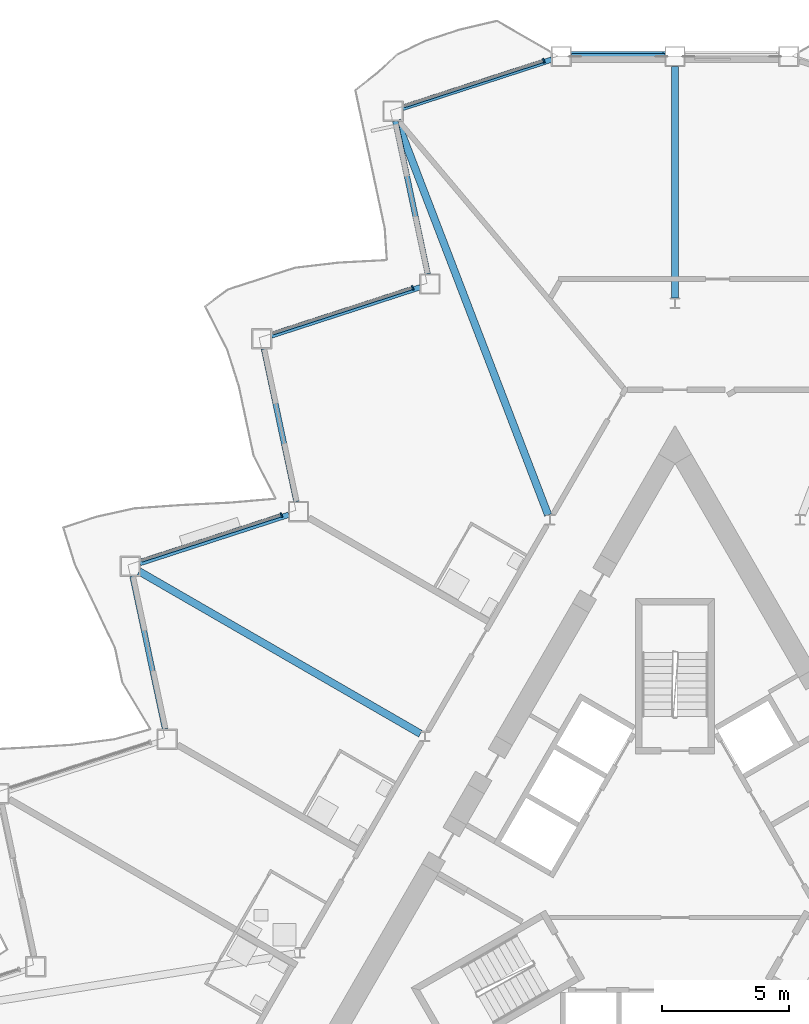
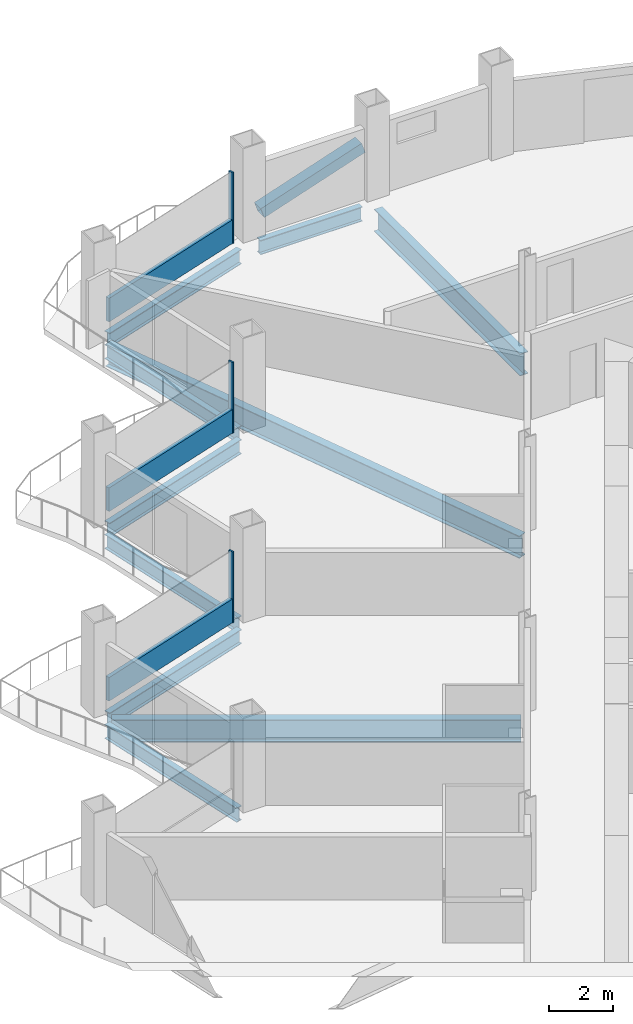
# One storey, part 8 of 23: 10 beams, 7 members, 3 elements without a shape of their own.
"""IFC4 building model written with IfcOpenShell, lengths in metres."""

from ifc_helpers import new_model, si_unit, direction, frame, origin, origin_2d, place, context, subcontext, project, spatial, rectangle, hollow_rectangle, i_section, extrude, material, layer, layer_set, material_profile, profile_set, type_object, element, aggregate, save


model = new_model("IFC4")

# Units and contexts
model_context = context("Model", 3, precision=1e-05, world=origin(), true_north=direction((0.0, 1.0)))
body_context = subcontext(model_context, "Body", "Model", "MODEL_VIEW")
ifc_project = project(units=[si_unit("LENGTHUNIT", "METRE"), si_unit("AREAUNIT", "SQUARE_METRE"), si_unit("VOLUMEUNIT", "CUBIC_METRE"), si_unit("PLANEANGLEUNIT", "RADIAN"), si_unit("MASSUNIT", "GRAM", prefix="KILO")], contexts=[model_context])

# Site, building, storey
site_placement = place(None, origin())
site = spatial("IfcSite", under=ifc_project, at=site_placement, CompositionType="ELEMENT")
building_placement = place(site_placement, origin())
building = spatial("IfcBuilding", under=site, at=building_placement, Name="Cormorant Prow Tower", CompositionType="ELEMENT")
storey_placement = place(building_placement, frame((0.0, 0.0, 212.39990234375)))
storey = spatial("IfcBuildingStorey", under=building, at=storey_placement, Name="L47", CompositionType="ELEMENT", Elevation=212.39990234375)

# Member
ifc_material_1 = material(Name="Structural steel ASTM A500 Gr C", Category="steel")
ifc_material_profile_1 = material_profile(ifc_material_1, hollow_rectangle(XDim=0.406494140625, YDim=0.406494140625, WallThickness=0.01171875, at=origin_2d()), Name="HSS16x16x1/2")
ifc_profile_set_1 = profile_set([ifc_material_profile_1], Name="Structural steel ASTM A500 Gr C")
member_type_1 = type_object("IfcMemberType", Name="Chamfer brace HSS16x16x1/2", PredefinedType="BRACE", material=ifc_profile_set_1)
member_1_placement = place(storey_placement, frame((-4.05322265625, 32.3994140625, 0.740234375), z_axis=(0.947999999098, 0.0, 0.318270328039), x_axis=(0.0, 1.0, 0.0)))
element("IfcMember", 1, at=member_1_placement, inside=storey, type_object=member_type_1, Name="Chamfer brace BR2 at N01 L47", PredefinedType="BRACE", context=body_context, shape_type="SweptSolid", body=[
    extrude(hollow_rectangle(XDim=0.406494140625, YDim=0.406494140625, WallThickness=0.01171875, at=origin_2d()), origin(), (0.0, 0.0, 1.0), 3.83544921875),
])

# Curtain wall, member
ifc_material_2 = material(Name="Aluminium 6063-T6", Category="aluminium")
ifc_layer = layer(ifc_material_2, 0.179931640625)
ifc_layer_set = layer_set([ifc_layer], Name="Aluminium 6063-T6")
curtain_wall_type = type_object("IfcCurtainWallType", Name="Hotel unitised curtain wall 180", PredefinedType="NOTDEFINED", material=ifc_layer_set)
curtain_wall_1_placement = place(storey_placement, origin())
curtain_wall_1 = element("IfcCurtainWall", 2, at=curtain_wall_1_placement, inside=storey, type_object=curtain_wall_type, Name="Hotel curtain wall WNW00", PredefinedType="NOTDEFINED")
ifc_material_3 = material(Name="Aluminium 6063-T6", Category="aluminium")
ifc_material_profile_2 = material_profile(ifc_material_3, rectangle(XDim=0.179931640625, YDim=0.06005859375, at=origin_2d()), Name="Hotel mullion 60x180")
ifc_profile_set_2 = profile_set([ifc_material_profile_2], Name="Aluminium 6063-T6")
member_type_2 = type_object("IfcMemberType", Name="Hotel mullion 60x180", PredefinedType="MULLION", material=ifc_profile_set_2)
member_2_placement = place(storey_placement, frame((-5.160400390625, 32.232177734375, 0.0), z_axis=(0.0, 0.0, 1.0), x_axis=(0.30901701685, -0.951056508993, 0.0)))
member_2 = element("IfcMember", 3, at=member_2_placement, type_object=member_type_2, Name="Hotel mullion WNW00", PredefinedType="MULLION", context=body_context, shape_type="SweptSolid", body=[
    extrude(rectangle(XDim=0.179931640625, YDim=0.06005859375, at=origin_2d()), origin(), (0.0, 0.0, 1.0), 2.700927734375),
])

curtain_wall_2_placement = place(storey_placement, origin())
curtain_wall_2 = element("IfcCurtainWall", 4, at=curtain_wall_2_placement, inside=storey, type_object=curtain_wall_type, Name="Hotel curtain wall WNW02", PredefinedType="NOTDEFINED")
member_3_placement = place(storey_placement, frame((-10.31591796875, 23.302490234375, 0.0), z_axis=(0.0, 0.0, 1.0), x_axis=(0.309016974489, -0.951056522756, 0.0)))
member_3 = element("IfcMember", 5, at=member_3_placement, type_object=member_type_2, Name="Hotel mullion WNW02", PredefinedType="MULLION", context=body_context, shape_type="SweptSolid", body=[
    extrude(rectangle(XDim=0.179931640625, YDim=0.06005859375, at=origin_2d()), origin(), (0.0, 0.0, 1.0), 2.700927734375),
])

curtain_wall_3_placement = place(storey_placement, origin())
curtain_wall_3 = element("IfcCurtainWall", 6, at=curtain_wall_3_placement, inside=storey, type_object=curtain_wall_type, Name="Hotel curtain wall WNW04", PredefinedType="NOTDEFINED")
member_4_placement = place(storey_placement, frame((-15.471435546875, 14.37255859375, 0.0), z_axis=(0.0, 0.0, 1.0), x_axis=(0.309016974489, -0.951056522756, 0.0)))
member_4 = element("IfcMember", 7, at=member_4_placement, type_object=member_type_2, Name="Hotel mullion WNW04", PredefinedType="MULLION", context=body_context, shape_type="SweptSolid", body=[
    extrude(rectangle(XDim=0.179931640625, YDim=0.06005859375, at=origin_2d()), origin(), (0.0, 0.0, 1.0), 2.700927734375),
])

# Member
ifc_material_4 = material(Name="Terracotta", Category="masonry")
ifc_material_profile_3 = material_profile(ifc_material_4, rectangle(XDim=0.139892578125, YDim=0.89990234375, at=origin_2d()), Name="Hotel terracotta spandrel rail 140x900")
ifc_profile_set_3 = profile_set([ifc_material_profile_3], Name="Terracotta")
member_type_3 = type_object("IfcMemberType", Name="Hotel terracotta spandrel rail 140x900", PredefinedType="USERDEFINED", material=ifc_profile_set_3)
member_5_placement = place(storey_placement, frame((-5.188720703125, 32.222900390625, 0.4501953125), z_axis=(-0.951062500034, -0.308998577715, 0.0), x_axis=(0.308998577715, -0.951062500034, 0.0)))
member_5 = element("IfcMember", 8, at=member_5_placement, type_object=member_type_3, Name="Hotel spandrel rail WNW00", ObjectType="TRANSOM", PredefinedType="USERDEFINED", context=body_context, shape_type="SweptSolid", body=[
    extrude(rectangle(XDim=0.139892578125, YDim=0.89990234375, at=origin_2d()), origin(), (0.0, 0.0, 1.0), 5.74169921875),
])

aggregate(curtain_wall_1, [member_2, member_5])

member_6_placement = place(storey_placement, frame((-10.344482421875, 23.293212890625, 0.4501953125), z_axis=(-0.951045942446, -0.309049535442, 0.0), x_axis=(0.309049535442, -0.951045942446, 0.0)))
member_6 = element("IfcMember", 9, at=member_6_placement, type_object=member_type_3, Name="Hotel spandrel rail WNW02", ObjectType="TRANSOM", PredefinedType="USERDEFINED", context=body_context, shape_type="SweptSolid", body=[
    extrude(rectangle(XDim=0.139892578125, YDim=0.89990234375, at=origin_2d()), origin(), (0.0, 0.0, 1.0), 5.741455078125),
])

aggregate(curtain_wall_2, [member_3, member_6])

member_7_placement = place(storey_placement, frame((-15.5, 14.36328125, 0.4501953125), z_axis=(-0.951062500034, -0.308998577715, 0.0), x_axis=(0.308998577715, -0.951062500034, 0.0)))
member_7 = element("IfcMember", 10, at=member_7_placement, type_object=member_type_3, Name="Hotel spandrel rail WNW04", ObjectType="TRANSOM", PredefinedType="USERDEFINED", context=body_context, shape_type="SweptSolid", body=[
    extrude(rectangle(XDim=0.139892578125, YDim=0.89990234375, at=origin_2d()), origin(), (0.0, 0.0, 1.0), 5.74169921875),
])

aggregate(curtain_wall_3, [member_4, member_7])

# Beams
ifc_material_5 = material(Name="Structural steel ASTM A992 Gr 50", Category="steel")
ifc_material_profile_4 = material_profile(ifc_material_5, i_section(OverallWidth=0.29296875, OverallDepth=0.845703125, WebThickness=0.015380859375, FlangeThickness=0.0244140625, at=origin_2d()), Name="W33x141")
ifc_profile_set_4 = profile_set([ifc_material_profile_4], Name="Structural steel ASTM A992 Gr 50")
beam_type_1 = type_object("IfcBeamType", Name="Radial floor beam W33x141", PredefinedType="BEAM", material=ifc_profile_set_4)
beam_1_placement = place(storey_placement, frame((0.0, 22.901611328125, -0.772705078125), z_axis=(0.0, 1.0, 0.0), x_axis=(-1.0, 0.0, 0.0)))
element("IfcBeam", 11, at=beam_1_placement, inside=storey, type_object=beam_type_1, Name="Radial floor beam FB2 1 L47", PredefinedType="BEAM", context=body_context, shape_type="SweptSolid", body=[
    extrude(i_section(OverallWidth=0.29296875, OverallDepth=0.845703125, WebThickness=0.015380859375, FlangeThickness=0.0244140625, at=origin_2d()), origin(), (0.0, 0.0, 1.0), 9.097900390625),
])
beam_2_placement = place(storey_placement, frame((-4.9873046875, 14.376220703125, -0.772705078125), z_axis=(-0.358301123829, 0.933606075742, 0.0), x_axis=(-0.933606075742, -0.358301123829, 0.0)))
element("IfcBeam", 12, at=beam_2_placement, inside=storey, type_object=beam_type_1, Name="Radial floor beam FB2 2 L47", PredefinedType="BEAM", context=body_context, shape_type="SweptSolid", body=[
    extrude(i_section(OverallWidth=0.29296875, OverallDepth=0.845703125, WebThickness=0.015380859375, FlangeThickness=0.0244140625, at=origin_2d()), origin(), (0.0, 0.0, 1.0), 16.604736328125),
])
beam_3_placement = place(storey_placement, frame((-10.0048828125, 5.7763671875, -0.772705078125), z_axis=(-0.866026069776, 0.499998846467, 0.0), x_axis=(-0.499998846467, -0.866026069776, 0.0)))
element("IfcBeam", 13, at=beam_3_placement, inside=storey, type_object=beam_type_1, Name="Radial floor beam FB2 3 L47", PredefinedType="BEAM", context=body_context, shape_type="SweptSolid", body=[
    extrude(i_section(OverallWidth=0.29296875, OverallDepth=0.845703125, WebThickness=0.015380859375, FlangeThickness=0.0244140625, at=origin_2d()), origin(), (0.0, 0.0, 1.0), 12.76904296875),
])
ifc_material_6 = material(Name="Structural steel ASTM A992 Gr 50", Category="steel")
ifc_material_profile_5 = material_profile(ifc_material_6, i_section(OverallWidth=0.2138671875, OverallDepth=0.549072265625, WebThickness=0.0146484375, FlangeThickness=0.023681640625, at=origin_2d()), Name="W21x93")
ifc_profile_set_5 = profile_set([ifc_material_profile_5], Name="Structural steel ASTM A992 Gr 50")
beam_type_2 = type_object("IfcBeamType", Name="Spandrel beam W21x93", PredefinedType="SPANDREL", material=ifc_profile_set_5)
beam_4_placement = place(storey_placement, frame((-0.39990234375, 32.3994140625, -0.62451171875), z_axis=(-1.0, 0.0, 0.0), x_axis=(0.0, -1.0, 0.0)))
element("IfcBeam", 14, at=beam_4_placement, inside=storey, type_object=beam_type_2, Name="Spandrel beam SB2 N01-WNW00 L47", PredefinedType="SPANDREL", context=body_context, shape_type="SweptSolid", body=[
    extrude(i_section(OverallWidth=0.2138671875, OverallDepth=0.549072265625, WebThickness=0.0146484375, FlangeThickness=0.023681640625, at=origin_2d()), origin(), (0.0, 0.0, 1.0), 3.67041015625),
])
beam_5_placement = place(storey_placement, frame((-4.850830078125, 32.27587890625, -0.62451171875), z_axis=(-0.951057696564, -0.309013361859, 0.0), x_axis=(0.309013361859, -0.951057696564, 0.0)))
element("IfcBeam", 15, at=beam_5_placement, inside=storey, type_object=beam_type_2, Name="Spandrel beam SB2 WNW00-WNW01 L47", PredefinedType="SPANDREL", context=body_context, shape_type="SweptSolid", body=[
    extrude(i_section(OverallWidth=0.2138671875, OverallDepth=0.549072265625, WebThickness=0.0146484375, FlangeThickness=0.023681640625, at=origin_2d()), origin(), (0.0, 0.0, 1.0), 6.14990234375),
])
beam_6_placement = place(storey_placement, frame((-10.996826171875, 29.860595703125, -0.62451171875), z_axis=(0.207904811195, -0.978149063018, 0.0), x_axis=(0.978149063018, 0.207904811195, 0.0)))
element("IfcBeam", 16, at=beam_6_placement, inside=storey, type_object=beam_type_2, Name="Spandrel beam SB2 WNW01-WNW02 L47", PredefinedType="SPANDREL", context=body_context, shape_type="SweptSolid", body=[
    extrude(i_section(OverallWidth=0.2138671875, OverallDepth=0.549072265625, WebThickness=0.0146484375, FlangeThickness=0.023681640625, at=origin_2d()), origin(), (0.0, 0.0, 1.0), 6.149658203125),
])
beam_7_placement = place(storey_placement, frame((-10.015625, 23.330322265625, -0.62451171875), z_axis=(-0.951057696564, -0.309013361859, 0.0), x_axis=(0.309013361859, -0.951057696564, 0.0)))
element("IfcBeam", 17, at=beam_7_placement, inside=storey, type_object=beam_type_2, Name="Spandrel beam SB2 WNW02-WNW03 L47", PredefinedType="SPANDREL", context=body_context, shape_type="SweptSolid", body=[
    extrude(i_section(OverallWidth=0.2138671875, OverallDepth=0.549072265625, WebThickness=0.0146484375, FlangeThickness=0.023681640625, at=origin_2d()), origin(), (0.0, 0.0, 1.0), 6.14990234375),
])
beam_8_placement = place(storey_placement, frame((-16.16162109375, 20.9150390625, -0.62451171875), z_axis=(0.207904811195, -0.978149063018, 0.0), x_axis=(0.978149063018, 0.207904811195, 0.0)))
element("IfcBeam", 18, at=beam_8_placement, inside=storey, type_object=beam_type_2, Name="Spandrel beam SB2 WNW03-WNW04 L47", PredefinedType="SPANDREL", context=body_context, shape_type="SweptSolid", body=[
    extrude(i_section(OverallWidth=0.2138671875, OverallDepth=0.549072265625, WebThickness=0.0146484375, FlangeThickness=0.023681640625, at=origin_2d()), origin(), (0.0, 0.0, 1.0), 6.149658203125),
])
beam_9_placement = place(storey_placement, frame((-15.18017578125, 14.384765625, -0.62451171875), z_axis=(-0.951057696564, -0.309013361859, 0.0), x_axis=(0.309013361859, -0.951057696564, 0.0)))
element("IfcBeam", 19, at=beam_9_placement, inside=storey, type_object=beam_type_2, Name="Spandrel beam SB2 WNW04-WNW05 L47", PredefinedType="SPANDREL", context=body_context, shape_type="SweptSolid", body=[
    extrude(i_section(OverallWidth=0.2138671875, OverallDepth=0.549072265625, WebThickness=0.0146484375, FlangeThickness=0.023681640625, at=origin_2d()), origin(), (0.0, 0.0, 1.0), 6.14990234375),
])
beam_10_placement = place(storey_placement, frame((-21.326416015625, 11.969482421875, -0.62451171875), z_axis=(0.207904811195, -0.978149063018, 0.0), x_axis=(0.978149063018, 0.207904811195, 0.0)))
element("IfcBeam", 20, at=beam_10_placement, inside=storey, type_object=beam_type_2, Name="Spandrel beam SB2 WNW05-WNW06 L47", PredefinedType="SPANDREL", context=body_context, shape_type="SweptSolid", body=[
    extrude(i_section(OverallWidth=0.2138671875, OverallDepth=0.549072265625, WebThickness=0.0146484375, FlangeThickness=0.023681640625, at=origin_2d()), origin(), (0.0, 0.0, 1.0), 6.149658203125),
])

save(model, "model.ifc")
